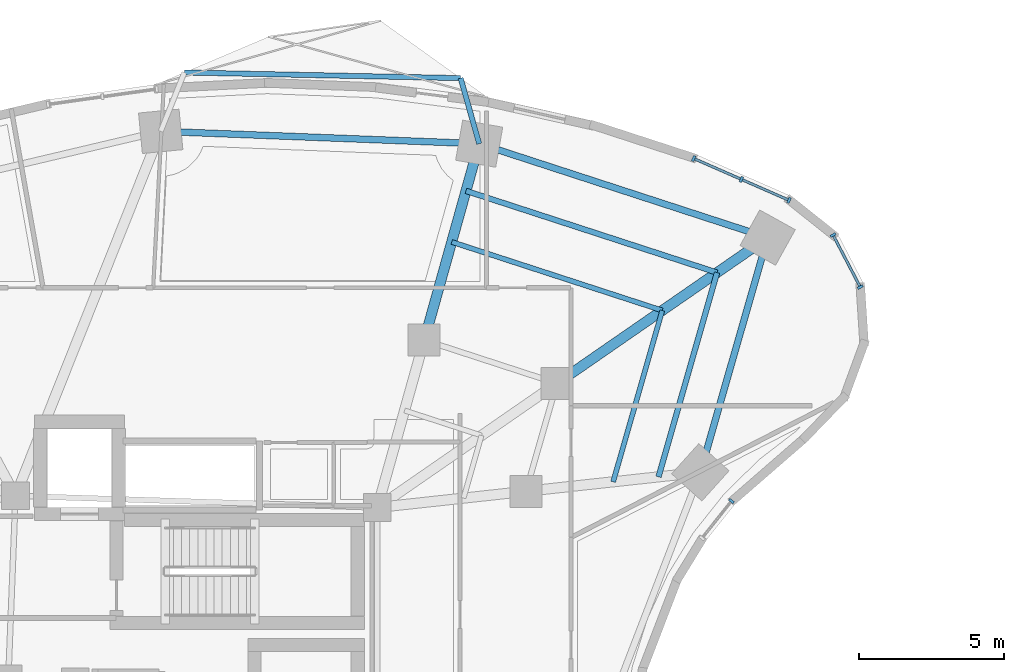
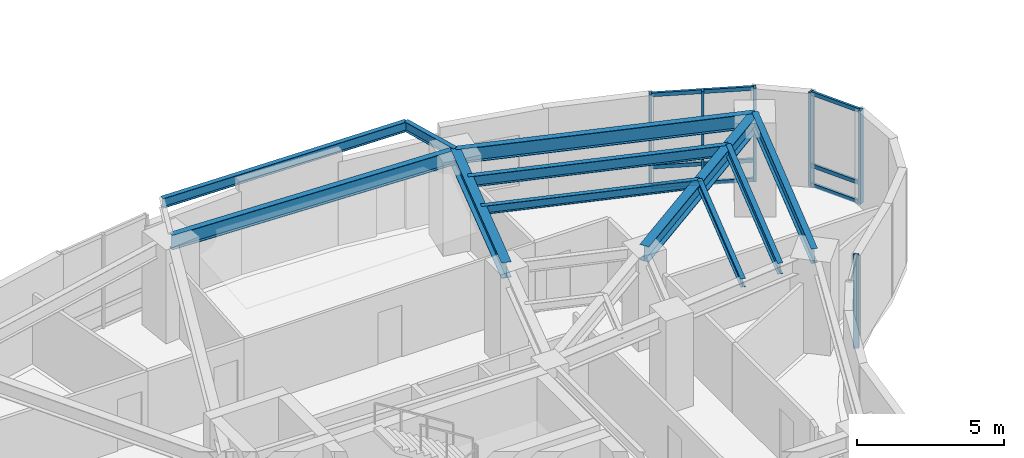
# One storey, part 7 of 17: 15 members, 11 beams, 3 elements without a shape of their own.
"""IFC4 building model written with IfcOpenShell, lengths in metres."""

from ifc_helpers import new_model, si_unit, direction, frame, origin, origin_2d, place, context, subcontext, project, spatial, rectangle, i_section, extrude, material, layer, layer_set, material_profile, profile_set, type_object, element, aggregate, save


model = new_model("IFC4")

# Units and contexts
model_context = context("Model", 3, precision=1e-05, world=origin(), true_north=direction((0.0, 1.0)))
body_context = subcontext(model_context, "Body", "Model", "MODEL_VIEW")
ifc_project = project(units=[si_unit("LENGTHUNIT", "METRE"), si_unit("AREAUNIT", "SQUARE_METRE"), si_unit("VOLUMEUNIT", "CUBIC_METRE"), si_unit("PLANEANGLEUNIT", "RADIAN"), si_unit("MASSUNIT", "GRAM", prefix="KILO")], contexts=[model_context])

# Site, building, storey
site_placement = place(None, origin())
site = spatial("IfcSite", under=ifc_project, at=site_placement, CompositionType="ELEMENT")
building_placement = place(site_placement, origin())
building = spatial("IfcBuilding", under=site, at=building_placement, Name="Korentha Bioscience Tower", CompositionType="ELEMENT")
storey_placement = place(building_placement, frame((0.0, 0.0, 25.800048828125)))
storey = spatial("IfcBuildingStorey", under=building, at=storey_placement, Name="L05", CompositionType="ELEMENT", Elevation=25.800048828125)

# Curtain wall, members
ifc_material_1 = material(Name="Thermally Broken Aluminium Frame", Category="aluminium")
ifc_layer = layer(ifc_material_1, 0.219970703125, Name="Thermally Broken Aluminium Frame")
ifc_layer_set = layer_set([ifc_layer], Name="Thermally Broken Aluminium Frame (CW-T1)")
curtain_wall_type = type_object("IfcCurtainWallType", Name="Standard Bioscience Lab Unitised Curtain Wall CW-T1", PredefinedType="USERDEFINED", material=ifc_layer_set)
curtain_wall_1_placement = place(storey_placement, origin())
curtain_wall_1 = element("IfcCurtainWall", 1, at=curtain_wall_1_placement, inside=storey, type_object=curtain_wall_type, Name="L05 Curtain Wall 01", ObjectType="UNITISED", PredefinedType="USERDEFINED")
ifc_material_2 = material(Name="Anodised Aluminium 6063-T6", Category="aluminium")
ifc_material_profile_1 = material_profile(ifc_material_2, rectangle(XDim=0.090087890625, YDim=0.199951171875, at=origin_2d()), Name="Anodised Aluminium 6063-T6")
ifc_profile_set_1 = profile_set([ifc_material_profile_1], Name="Anodised Aluminium 6063-T6 (CW-MUL)")
member_type_1 = type_object("IfcMemberType", Name="Mullion RECT 90x200", PredefinedType="MULLION", material=ifc_profile_set_1)
member_1_placement = place(storey_placement, frame((51.71337890625, 46.420654296875, 0.0), z_axis=(0.0, 0.0, 1.0), x_axis=(-0.91593909057, 0.401317308828, 0.0)))
member_1 = element("IfcMember", 2, at=member_1_placement, type_object=member_type_1, Name="CW-L05-01 Mullion 1", PredefinedType="MULLION", context=body_context, shape_type="SweptSolid", body=[
    extrude(rectangle(XDim=0.090087890625, YDim=0.199951171875, at=origin_2d()), origin(), (0.0, 0.0, 1.0), 3.89990234375),
])
member_2_placement = place(storey_placement, frame((50.072998046875, 47.139404296875, 0.0), z_axis=(0.0, 0.0, 1.0), x_axis=(-0.91593909057, 0.401317308828, 0.0)))
member_2 = element("IfcMember", 3, at=member_2_placement, type_object=member_type_1, Name="CW-L05-01 Mullion 2", PredefinedType="MULLION", context=body_context, shape_type="SweptSolid", body=[
    extrude(rectangle(XDim=0.090087890625, YDim=0.199951171875, at=origin_2d()), origin(), (0.0, 0.0, 1.0), 3.89990234375),
])
member_3_placement = place(storey_placement, frame((48.43212890625, 47.8583984375, 0.0), z_axis=(0.0, 0.0, 1.0), x_axis=(-0.91593909057, 0.401317308828, 0.0)))
member_3 = element("IfcMember", 4, at=member_3_placement, type_object=member_type_1, Name="CW-L05-01 Mullion 3", PredefinedType="MULLION", context=body_context, shape_type="SweptSolid", body=[
    extrude(rectangle(XDim=0.090087890625, YDim=0.199951171875, at=origin_2d()), origin(), (0.0, 0.0, 1.0), 3.89990234375),
])

# Curtain wall, member
curtain_wall_2_placement = place(storey_placement, origin())
curtain_wall_2 = element("IfcCurtainWall", 5, at=curtain_wall_2_placement, inside=storey, type_object=curtain_wall_type, Name="L05 Curtain Wall 55", ObjectType="UNITISED", PredefinedType="USERDEFINED")
member_4_placement = place(storey_placement, frame((49.73291015625, 36.072021484375, 0.0), z_axis=(0.0, 0.0, 1.0), x_axis=(0.622520324648, 0.782603632371, 0.0)))
member_4 = element("IfcMember", 6, at=member_4_placement, type_object=member_type_1, Name="CW-L05-55 Mullion 2", PredefinedType="MULLION", context=body_context, shape_type="SweptSolid", body=[
    extrude(rectangle(XDim=0.090087890625, YDim=0.199951171875, at=origin_2d()), origin(), (0.0, 0.0, 1.0), 3.89990234375),
])
aggregate(curtain_wall_2, [member_4])

# Curtain wall, members
curtain_wall_3_placement = place(storey_placement, origin())
curtain_wall_3 = element("IfcCurtainWall", 7, at=curtain_wall_3_placement, inside=storey, type_object=curtain_wall_type, Name="L05 Curtain Wall 61", ObjectType="UNITISED", PredefinedType="USERDEFINED")
member_5_placement = place(storey_placement, frame((54.163330078125, 43.435302734375, 0.0), z_axis=(0.0, 0.0, 1.0), x_axis=(-0.463008597697, 0.886353788539, 0.0)))
member_5 = element("IfcMember", 8, at=member_5_placement, type_object=member_type_1, Name="CW-L05-61 Mullion 1", PredefinedType="MULLION", context=body_context, shape_type="SweptSolid", body=[
    extrude(rectangle(XDim=0.090087890625, YDim=0.199951171875, at=origin_2d()), origin(), (0.0, 0.0, 1.0), 3.89990234375),
])
member_6_placement = place(storey_placement, frame((53.22900390625, 45.2236328125, 0.0), z_axis=(0.0, 0.0, 1.0), x_axis=(-0.463008597697, 0.886353788539, 0.0)))
member_6 = element("IfcMember", 9, at=member_6_placement, type_object=member_type_1, Name="CW-L05-61 Mullion 2", PredefinedType="MULLION", context=body_context, shape_type="SweptSolid", body=[
    extrude(rectangle(XDim=0.090087890625, YDim=0.199951171875, at=origin_2d()), origin(), (0.0, 0.0, 1.0), 3.89990234375),
])

# Beams
ifc_material_3 = material(Name="Steel S355", Category="steel")
ifc_material_profile_2 = material_profile(ifc_material_3, i_section(OverallWidth=0.22802734375, OverallDepth=0.60791015625, WebThickness=0.01123046875, FlangeThickness=0.017333984375, at=origin_2d()), Name="Steel S355")
ifc_profile_set_2 = profile_set([ifc_material_profile_2], Name="Steel S355 (SB-610)")
beam_type_1 = type_object("IfcBeamType", Name="Perimeter Ring Spandrel Girder W610x113", PredefinedType="SPANDREL", material=ifc_profile_set_2)
beam_1_placement = place(storey_placement, frame((50.977294921875, 45.135498046875, 3.595947265625), z_axis=(-0.95087511444, 0.309574735305, 0.0), x_axis=(-0.309574735305, -0.95087511444, 0.0)))
element("IfcBeam", 10, at=beam_1_placement, inside=storey, type_object=beam_type_1, Name="L05 Perimeter Spandrel Girder 01", PredefinedType="SPANDREL", context=body_context, shape_type="SweptSolid", body=[
    extrude(i_section(OverallWidth=0.22802734375, OverallDepth=0.60791015625, WebThickness=0.01123046875, FlangeThickness=0.017333984375, at=origin_2d()), origin(), (0.0, 0.0, 1.0), 10.4375),
])
beam_2_placement = place(storey_placement, frame((41.052490234375, 48.36669921875, 3.595947265625), z_axis=(-0.999246003889, 0.03882555488, 0.0), x_axis=(-0.03882555488, -0.999246003889, 0.0)))
element("IfcBeam", 11, at=beam_2_placement, inside=storey, type_object=beam_type_1, Name="L05 Perimeter Spandrel Girder 02", PredefinedType="SPANDREL", context=body_context, shape_type="SweptSolid", body=[
    extrude(i_section(OverallWidth=0.22802734375, OverallDepth=0.60791015625, WebThickness=0.01123046875, FlangeThickness=0.017333984375, at=origin_2d()), origin(), (0.0, 0.0, 1.0), 10.966552734375),
])
beam_3_placement = place(storey_placement, frame((48.661865234375, 37.060791015625, 3.595947265625), z_axis=(0.275642273411, 0.961260285827, 0.0), x_axis=(-0.961260285827, 0.275642273411, 0.0)))
element("IfcBeam", 12, at=beam_3_placement, inside=storey, type_object=beam_type_1, Name="L05 Perimeter Spandrel Girder 16", PredefinedType="SPANDREL", context=body_context, shape_type="SweptSolid", body=[
    extrude(i_section(OverallWidth=0.22802734375, OverallDepth=0.60791015625, WebThickness=0.01123046875, FlangeThickness=0.017333984375, at=origin_2d()), origin(), (0.0, 0.0, 1.0), 8.400146484375),
])
ifc_material_profile_3 = material_profile(ifc_material_3, i_section(OverallWidth=0.18994140625, OverallDepth=0.45703125, WebThickness=0.009033203125, FlangeThickness=0.014404296875, at=origin_2d()), Name="Steel S355")
ifc_profile_set_3 = profile_set([ifc_material_profile_3], Name="Steel S355 (RB-460)")
beam_type_2 = type_object("IfcBeamType", Name="Radial Laboratory Beam W460x74", PredefinedType="BEAM", material=ifc_profile_set_3)
beam_4_placement = place(storey_placement, frame((49.2373046875, 43.931884765625, 3.67138671875), z_axis=(-0.95087437499, 0.309577006554, 0.0), x_axis=(-0.309577006554, -0.95087437499, 0.0)))
element("IfcBeam", 13, at=beam_4_placement, inside=storey, type_object=beam_type_2, Name="L05 Secondary Floor Beam JSTO-01", PredefinedType="BEAM", context=body_context, shape_type="SweptSolid", body=[
    extrude(i_section(OverallWidth=0.18994140625, OverallDepth=0.45703125, WebThickness=0.009033203125, FlangeThickness=0.014404296875, at=origin_2d()), origin(), (0.0, 0.0, 1.0), 9.0849609375),
])
beam_5_placement = place(storey_placement, frame((47.2216796875, 36.90380859375, 3.67138671875), z_axis=(0.275682421415, 0.961248772443, 0.0), x_axis=(-0.961248772443, 0.275682421415, 0.0)))
element("IfcBeam", 14, at=beam_5_placement, inside=storey, type_object=beam_type_2, Name="L05 Secondary Floor Beam JSTO-16", PredefinedType="BEAM", context=body_context, shape_type="SweptSolid", body=[
    extrude(i_section(OverallWidth=0.18994140625, OverallDepth=0.45703125, WebThickness=0.009033203125, FlangeThickness=0.014404296875, at=origin_2d()), origin(), (0.0, 0.0, 1.0), 7.3115234375),
])
ifc_material_profile_4 = material_profile(ifc_material_3, i_section(OverallWidth=0.35009765625, OverallDepth=0.64990234375, WebThickness=0.01611328125, FlangeThickness=0.02490234375, at=origin_2d()), Name="Steel S355")
ifc_profile_set_4 = profile_set([ifc_material_profile_4], Name="Steel S355 (RB-650)")
beam_type_3 = type_object("IfcBeamType", Name="Radial Laboratory Girder CVS 650x208", PredefinedType="BEAM", material=ifc_profile_set_4)
beam_6_placement = place(storey_placement, frame((43.7265625, 40.121337890625, 3.574951171875), z_axis=(0.822488186113, 0.568782193555, 0.0), x_axis=(-0.568782193555, 0.822488186113, 0.0)))
element("IfcBeam", 15, at=beam_6_placement, inside=storey, type_object=beam_type_3, Name="L05 Outer Radial Girder 01", PredefinedType="BEAM", context=body_context, shape_type="SweptSolid", body=[
    extrude(i_section(OverallWidth=0.35009765625, OverallDepth=0.64990234375, WebThickness=0.01611328125, FlangeThickness=0.02490234375, at=origin_2d()), origin(), (0.0, 0.0, 1.0), 8.815673828125),
])
beam_7_placement = place(storey_placement, frame((39.1611328125, 41.607666015625, 3.574951171875), z_axis=(0.269475095129, 0.963007358801, 0.0), x_axis=(-0.963007358801, 0.269475095129, 0.0)))
element("IfcBeam", 16, at=beam_7_placement, inside=storey, type_object=beam_type_3, Name="L05 Outer Radial Girder 02", PredefinedType="BEAM", context=body_context, shape_type="SweptSolid", body=[
    extrude(i_section(OverallWidth=0.35009765625, OverallDepth=0.64990234375, WebThickness=0.01611328125, FlangeThickness=0.02490234375, at=origin_2d()), origin(), (0.0, 0.0, 1.0), 7.0185546875),
])
ifc_material_profile_5 = material_profile(ifc_material_3, i_section(OverallWidth=0.1708984375, OverallDepth=0.35498046875, WebThickness=0.007080078125, FlangeThickness=0.01171875, at=origin_2d()), Name="Steel S355")
ifc_profile_set_5 = profile_set([ifc_material_profile_5], Name="Steel S355 (JB-360)")
beam_type_4 = type_object("IfcBeamType", Name="Secondary Laboratory Joist W360x51", PredefinedType="JOIST", material=ifc_profile_set_5)
beam_8_placement = place(storey_placement, frame((47.35205078125, 42.62841796875, 3.722412109375), z_axis=(-0.950870992772, 0.309587394938, 0.0), x_axis=(-0.309587394938, -0.950870992772, 0.0)))
element("IfcBeam", 17, at=beam_8_placement, inside=storey, type_object=beam_type_4, Name="L05 Secondary Floor Beam JST-01", PredefinedType="JOIST", context=body_context, shape_type="SweptSolid", body=[
    extrude(i_section(OverallWidth=0.1708984375, OverallDepth=0.35498046875, WebThickness=0.007080078125, FlangeThickness=0.01171875, at=origin_2d()), origin(), (0.0, 0.0, 1.0), 7.619384765625),
])
beam_9_placement = place(storey_placement, frame((45.66162109375, 36.73388671875, 3.722412109375), z_axis=(0.275667500387, 0.96125305161, 0.0), x_axis=(-0.96125305161, 0.275667500387, 0.0)))
element("IfcBeam", 18, at=beam_9_placement, inside=storey, type_object=beam_type_4, Name="L05 Secondary Floor Beam JST-16", PredefinedType="JOIST", context=body_context, shape_type="SweptSolid", body=[
    extrude(i_section(OverallWidth=0.1708984375, OverallDepth=0.35498046875, WebThickness=0.007080078125, FlangeThickness=0.01171875, at=origin_2d()), origin(), (0.0, 0.0, 1.0), 6.132080078125),
])
ifc_material_profile_6 = material_profile(ifc_material_3, i_section(OverallWidth=0.177978515625, OverallDepth=0.406982421875, WebThickness=0.0078125, FlangeThickness=0.0126953125, at=origin_2d()), Name="Steel S355")
ifc_profile_set_6 = profile_set([ifc_material_profile_6], Name="Steel S355 (CB-410)")
beam_type_5 = type_object("IfcBeamType", Name="Sun-Ledge Cantilever Beam W410x60", PredefinedType="BEAM", material=ifc_profile_set_6)
beam_10_placement = place(storey_placement, frame((41.052490234375, 48.36669921875, 3.698486328125), z_axis=(-0.272575265029, 0.962134463001, 0.0), x_axis=(-0.962134463001, -0.272575265029, 0.0)))
element("IfcBeam", 19, at=beam_10_placement, inside=storey, type_object=beam_type_5, Name="L05 Balcony Cantilever Bracket A-L06-01", PredefinedType="BEAM", context=body_context, shape_type="SweptSolid", body=[
    extrude(i_section(OverallWidth=0.177978515625, OverallDepth=0.406982421875, WebThickness=0.0078125, FlangeThickness=0.0126953125, at=origin_2d()), origin(), (0.0, 0.0, 1.0), 2.344970703125),
])
beam_11_placement = place(storey_placement, frame((40.413330078125, 50.622802734375, 3.698486328125), z_axis=(-0.999790533568, 0.020466777676, 0.0), x_axis=(-0.020466777676, -0.999790533568, 0.0)))
element("IfcBeam", 20, at=beam_11_placement, inside=storey, type_object=beam_type_5, Name="L05 Balcony Edge Trimmer Beam L06-01", PredefinedType="BEAM", context=body_context, shape_type="SweptSolid", body=[
    extrude(i_section(OverallWidth=0.177978515625, OverallDepth=0.406982421875, WebThickness=0.0078125, FlangeThickness=0.0126953125, at=origin_2d()), origin(), (0.0, 0.0, 1.0), 9.507080078125),
])

# Member
ifc_material_profile_7 = material_profile(ifc_material_2, rectangle(XDim=0.090087890625, YDim=0.159912109375, at=origin_2d()), Name="Anodised Aluminium 6063-T6")
ifc_profile_set_7 = profile_set([ifc_material_profile_7], Name="Anodised Aluminium 6063-T6 (CW-TRN)")
member_type_2 = type_object("IfcMemberType", Name="Transom RECT 90x160", PredefinedType="USERDEFINED", material=ifc_profile_set_7)
member_7_placement = place(storey_placement, frame((51.67236328125, 46.438720703125, 0.044921875), z_axis=(-0.915976098914, 0.401232832926, 0.0), x_axis=(-0.401232832926, -0.915976098914, 0.0)))
member_7 = element("IfcMember", 21, at=member_7_placement, type_object=member_type_2, Name="CW-L05-01 Bay 1 Transom 1", ObjectType="TRANSOM", PredefinedType="USERDEFINED", context=body_context, shape_type="SweptSolid", body=[
    extrude(rectangle(XDim=0.090087890625, YDim=0.159912109375, at=origin_2d()), origin(), (0.0, 0.0, 1.0), 1.701416015625),
])

member_8_placement = place(storey_placement, frame((51.67236328125, 46.438720703125, 0.849853515625), z_axis=(-0.915976098914, 0.401232832926, 0.0), x_axis=(-0.401232832926, -0.915976098914, 0.0)))
member_8 = element("IfcMember", 22, at=member_8_placement, type_object=member_type_2, Name="CW-L05-01 Bay 1 Transom 2", ObjectType="TRANSOM", PredefinedType="USERDEFINED", context=body_context, shape_type="SweptSolid", body=[
    extrude(rectangle(XDim=0.090087890625, YDim=0.159912109375, at=origin_2d()), origin(), (0.0, 0.0, 1.0), 1.701416015625),
])

member_9_placement = place(storey_placement, frame((51.67236328125, 46.438720703125, 3.85498046875), z_axis=(-0.915976098914, 0.401232832926, 0.0), x_axis=(-0.401232832926, -0.915976098914, 0.0)))
member_9 = element("IfcMember", 23, at=member_9_placement, type_object=member_type_2, Name="CW-L05-01 Bay 1 Transom 3", ObjectType="TRANSOM", PredefinedType="USERDEFINED", context=body_context, shape_type="SweptSolid", body=[
    extrude(rectangle(XDim=0.090087890625, YDim=0.159912109375, at=origin_2d()), origin(), (0.0, 0.0, 1.0), 1.701416015625),
])

member_10_placement = place(storey_placement, frame((50.031494140625, 47.15771484375, 0.044921875), z_axis=(-0.915952992218, 0.401285579167, 0.0), x_axis=(-0.401285579167, -0.915952992218, 0.0)))
member_10 = element("IfcMember", 24, at=member_10_placement, type_object=member_type_2, Name="CW-L05-01 Bay 2 Transom 1", ObjectType="TRANSOM", PredefinedType="USERDEFINED", context=body_context, shape_type="SweptSolid", body=[
    extrude(rectangle(XDim=0.090087890625, YDim=0.159912109375, at=origin_2d()), origin(), (0.0, 0.0, 1.0), 1.701171875),
])

member_11_placement = place(storey_placement, frame((50.031494140625, 47.15771484375, 0.849853515625), z_axis=(-0.915952992218, 0.401285579167, 0.0), x_axis=(-0.401285579167, -0.915952992218, 0.0)))
member_11 = element("IfcMember", 25, at=member_11_placement, type_object=member_type_2, Name="CW-L05-01 Bay 2 Transom 2", ObjectType="TRANSOM", PredefinedType="USERDEFINED", context=body_context, shape_type="SweptSolid", body=[
    extrude(rectangle(XDim=0.090087890625, YDim=0.159912109375, at=origin_2d()), origin(), (0.0, 0.0, 1.0), 1.701171875),
])

member_12_placement = place(storey_placement, frame((50.031494140625, 47.15771484375, 3.85498046875), z_axis=(-0.915952992218, 0.401285579167, 0.0), x_axis=(-0.401285579167, -0.915952992218, 0.0)))
member_12 = element("IfcMember", 26, at=member_12_placement, type_object=member_type_2, Name="CW-L05-01 Bay 2 Transom 3", ObjectType="TRANSOM", PredefinedType="USERDEFINED", context=body_context, shape_type="SweptSolid", body=[
    extrude(rectangle(XDim=0.090087890625, YDim=0.159912109375, at=origin_2d()), origin(), (0.0, 0.0, 1.0), 1.701171875),
])

aggregate(curtain_wall_1, [member_1, member_2, member_3, member_7, member_8, member_9, member_10, member_11, member_12])

member_13_placement = place(storey_placement, frame((54.142333984375, 43.47509765625, 0.044921875), z_axis=(-0.462899248902, 0.886410900974, 0.0), x_axis=(-0.886410900974, -0.462899248902, 0.0)))
member_13 = element("IfcMember", 27, at=member_13_placement, type_object=member_type_2, Name="CW-L05-61 Bay 1 Transom 1", ObjectType="TRANSOM", PredefinedType="USERDEFINED", context=body_context, shape_type="SweptSolid", body=[
    extrude(rectangle(XDim=0.090087890625, YDim=0.159912109375, at=origin_2d()), origin(), (0.0, 0.0, 1.0), 1.927734375),
])

member_14_placement = place(storey_placement, frame((54.142333984375, 43.47509765625, 0.849853515625), z_axis=(-0.462899248902, 0.886410900974, 0.0), x_axis=(-0.886410900974, -0.462899248902, 0.0)))
member_14 = element("IfcMember", 28, at=member_14_placement, type_object=member_type_2, Name="CW-L05-61 Bay 1 Transom 2", ObjectType="TRANSOM", PredefinedType="USERDEFINED", context=body_context, shape_type="SweptSolid", body=[
    extrude(rectangle(XDim=0.090087890625, YDim=0.159912109375, at=origin_2d()), origin(), (0.0, 0.0, 1.0), 1.927734375),
])

member_15_placement = place(storey_placement, frame((54.142333984375, 43.47509765625, 3.85498046875), z_axis=(-0.462899248902, 0.886410900974, 0.0), x_axis=(-0.886410900974, -0.462899248902, 0.0)))
member_15 = element("IfcMember", 29, at=member_15_placement, type_object=member_type_2, Name="CW-L05-61 Bay 1 Transom 3", ObjectType="TRANSOM", PredefinedType="USERDEFINED", context=body_context, shape_type="SweptSolid", body=[
    extrude(rectangle(XDim=0.090087890625, YDim=0.159912109375, at=origin_2d()), origin(), (0.0, 0.0, 1.0), 1.927734375),
])

aggregate(curtain_wall_3, [member_5, member_6, member_13, member_14, member_15])

save(model, "model.ifc")
